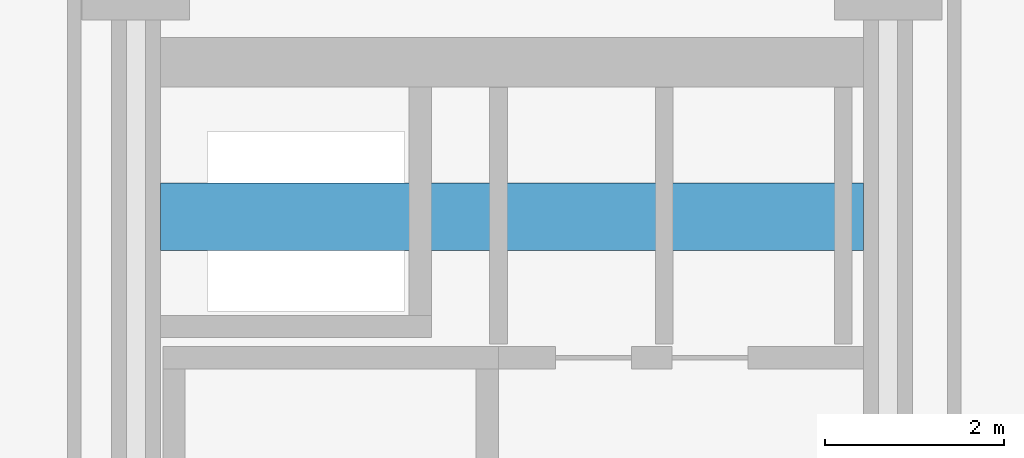
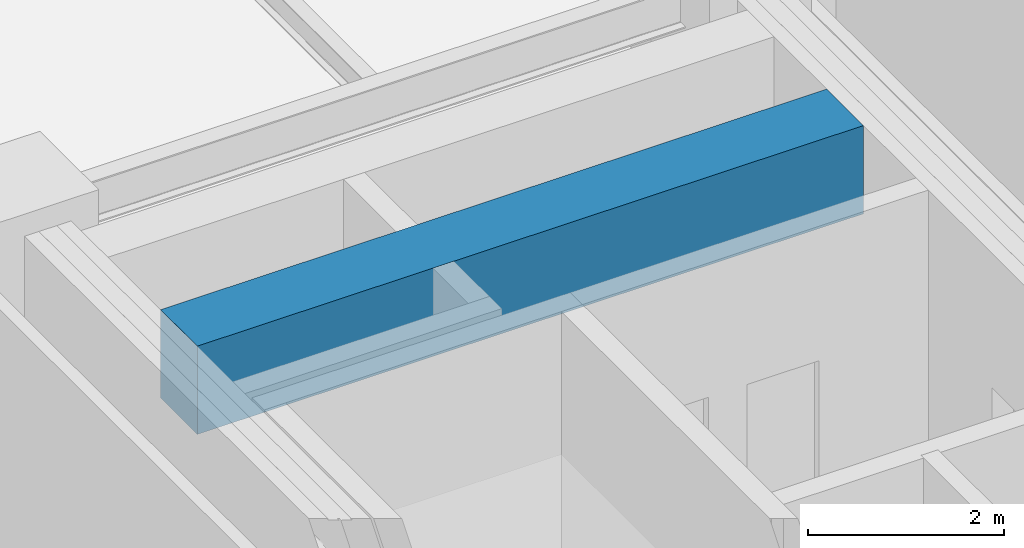
# One storey, part 24 of 38: 1 beam.
"""IFC4 building model written with IfcOpenShell, lengths in metres."""

from ifc_helpers import new_model, si_unit, direction, frame, origin, origin_2d, place, context, subcontext, project, spatial, rectangle, extrude, material, material_profile, profile_set, type_object, element, save


model = new_model("IFC4")

# Units and contexts
model_context = context("Model", 3, precision=1e-05, world=origin(), true_north=direction((0.0, 1.0)))
body_context = subcontext(model_context, "Body", "Model", "MODEL_VIEW")
ifc_project = project(units=[si_unit("LENGTHUNIT", "METRE"), si_unit("AREAUNIT", "SQUARE_METRE"), si_unit("VOLUMEUNIT", "CUBIC_METRE"), si_unit("PLANEANGLEUNIT", "RADIAN"), si_unit("MASSUNIT", "GRAM", prefix="KILO")], contexts=[model_context])

# Site, building, storey
site_placement = place(None, origin())
site = spatial("IfcSite", under=ifc_project, at=site_placement, CompositionType="ELEMENT")
building_placement = place(site_placement, origin())
building = spatial("IfcBuilding", under=site, at=building_placement, Name="Nerrivon Quay Data Exchange", CompositionType="ELEMENT")
storey_placement = place(building_placement, frame((0.0, 0.0, 88.5)))
storey = spatial("IfcBuildingStorey", under=building, at=storey_placement, Name="L20", CompositionType="ELEMENT", Elevation=88.5)

# Beam
ifc_material = material(Name="Concrete S65 (65 MPa)", Category="concrete")
ifc_material_profile = material_profile(ifc_material, rectangle(XDim=0.75, YDim=1.10009765625, at=origin_2d()), Name="RC-CB-750x1100")
ifc_profile_set = profile_set([ifc_material_profile], Name="Concrete S65 (65 MPa)")
beam_type = type_object("IfcBeamType", Name="BM-CB1-750x1100", PredefinedType="LINTEL", material=ifc_profile_set)
beam_placement = place(storey_placement, frame((8.675048828125, 39.199951171875, 3.27490234375), z_axis=(1.0, 0.0, 0.0), x_axis=(0.0, 1.0, 0.0)))
element("IfcBeam", 1, at=beam_placement, inside=storey, type_object=beam_type, Name="L20 West Core Coupling Beam", PredefinedType="LINTEL", context=body_context, shape_type="SweptSolid", body=[
    extrude(rectangle(XDim=0.75, YDim=1.10009765625, at=origin_2d()), origin(), (0.0, 0.0, 1.0), 7.849853515625),
])

save(model, "model.ifc")
